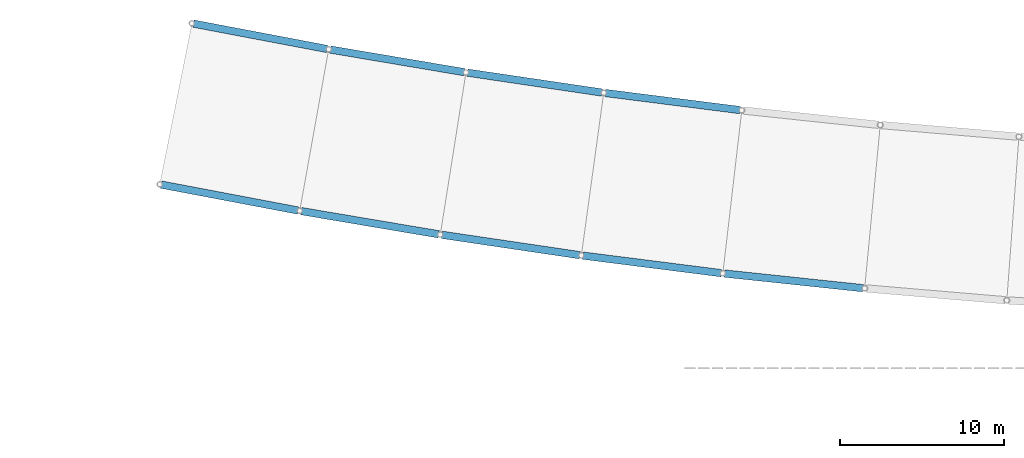
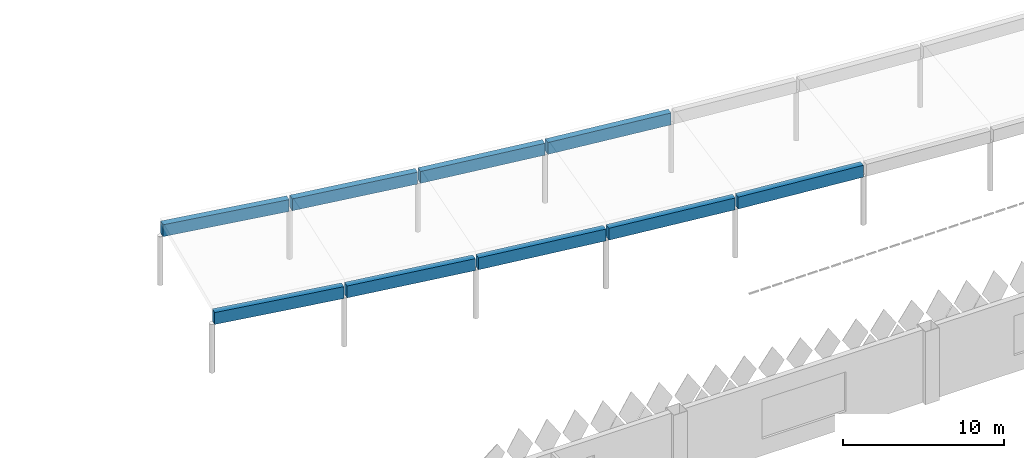
# One storey, part 41 of 185: 9 beams.
"""IFC4 building model written with IfcOpenShell, lengths in metres."""

from ifc_helpers import new_model, si_unit, direction, frame, origin, origin_2d, place, context, subcontext, project, spatial, rectangle, extrude, material, material_profile, profile_set, type_object, element, save


model = new_model("IFC4")

# Units and contexts
model_context = context("Model", 3, precision=1e-05, world=origin(), true_north=direction((0.0, 1.0)))
body_context = subcontext(model_context, "Body", "Model", "MODEL_VIEW")
ifc_project = project(units=[si_unit("LENGTHUNIT", "METRE"), si_unit("AREAUNIT", "SQUARE_METRE"), si_unit("VOLUMEUNIT", "CUBIC_METRE"), si_unit("PLANEANGLEUNIT", "RADIAN"), si_unit("MASSUNIT", "GRAM", prefix="KILO")], contexts=[model_context])

# Site, building, storey
site_placement = place(None, origin())
site = spatial("IfcSite", under=ifc_project, at=site_placement, CompositionType="ELEMENT")
building_placement = place(site_placement, origin())
building = spatial("IfcBuilding", under=site, at=building_placement, Name="Opaline Strait Convention Centre", CompositionType="ELEMENT")
storey_placement = place(building_placement, frame((0.0, 0.0, 6.0)))
storey = spatial("IfcBuildingStorey", under=building, at=storey_placement, Name="L01", CompositionType="ELEMENT", Elevation=6.0)

# Beams
ifc_material = material(Name="Concrete C40", Category="concrete")
ifc_material_profile = material_profile(ifc_material, rectangle(XDim=0.449951171875, YDim=0.89990234375, at=origin_2d()), Name="RC 450x900")
ifc_profile_set = profile_set([ifc_material_profile], Name="Concrete C40")
beam_type = type_object("IfcBeamType", Name="Arcade edge beam 450 x 900 C40", PredefinedType="BEAM", material=ifc_profile_set)
beam_1_placement = place(storey_placement, frame((98.11767578125, 177.678466796875, 4.14990234375), z_axis=(0.982500419925, -0.186260368428, 0.0), x_axis=(0.186260368428, 0.982500419925, 0.0)))
element("IfcBeam", 1, at=beam_1_placement, inside=storey, type_object=beam_type, Name="Arcade edge beam SB-I01", ObjectType="SB1", PredefinedType="BEAM", context=body_context, shape_type="SweptSolid", body=[
    extrude(rectangle(XDim=0.449951171875, YDim=0.89990234375, at=origin_2d()), origin(), (0.0, 0.0, 1.0), 8.483154296875),
])
beam_2_placement = place(storey_placement, frame((106.649169921875, 176.06298828125, 4.14990234375), z_axis=(0.986061396972, -0.166381854183, 0.0), x_axis=(0.166381854183, 0.986061396972, 0.0)))
element("IfcBeam", 2, at=beam_2_placement, inside=storey, type_object=beam_type, Name="Arcade edge beam SB-I02", ObjectType="SB1", PredefinedType="BEAM", context=body_context, shape_type="SweptSolid", body=[
    extrude(rectangle(XDim=0.449951171875, YDim=0.89990234375, at=origin_2d()), origin(), (0.0, 0.0, 1.0), 8.484130859375),
])
beam_3_placement = place(storey_placement, frame((115.212646484375, 174.6201171875, 4.14990234375), z_axis=(0.989251915692, -0.146221227257, 0.0), x_axis=(0.146221227257, 0.989251915692, 0.0)))
element("IfcBeam", 3, at=beam_3_placement, inside=storey, type_object=beam_type, Name="Arcade edge beam SB-I03", ObjectType="SB1", PredefinedType="BEAM", context=body_context, shape_type="SweptSolid", body=[
    extrude(rectangle(XDim=0.449951171875, YDim=0.89990234375, at=origin_2d()), origin(), (0.0, 0.0, 1.0), 8.4853515625),
])
beam_4_placement = place(storey_placement, frame((123.804931640625, 173.352294921875, 4.14990234375), z_axis=(0.992058135744, -0.125780186453, 0.0), x_axis=(0.125780186453, 0.992058135744, 0.0)))
element("IfcBeam", 4, at=beam_4_placement, inside=storey, type_object=beam_type, Name="Arcade edge beam SB-I04", ObjectType="SB1", PredefinedType="BEAM", context=body_context, shape_type="SweptSolid", body=[
    extrude(rectangle(XDim=0.449951171875, YDim=0.89990234375, at=origin_2d()), origin(), (0.0, 0.0, 1.0), 8.486083984375),
])
beam_5_placement = place(storey_placement, frame((132.422119140625, 172.26171875, 4.14990234375), z_axis=(0.994454264376, -0.105169938981, 0.0), x_axis=(0.105169938981, 0.994454264376, 0.0)))
element("IfcBeam", 5, at=beam_5_placement, inside=storey, type_object=beam_type, Name="Arcade edge beam SB-I05", ObjectType="SB1", PredefinedType="BEAM", context=body_context, shape_type="SweptSolid", body=[
    extrude(rectangle(XDim=0.449951171875, YDim=0.89990234375, at=origin_2d()), origin(), (0.0, 0.0, 1.0), 8.487060546875),
])
beam_6_placement = place(storey_placement, frame((100.078857421875, 187.484375, 4.14990234375), z_axis=(0.982494059774, -0.186293914307, 0.0), x_axis=(0.186293914307, 0.982494059774, 0.0)))
element("IfcBeam", 6, at=beam_6_placement, inside=storey, type_object=beam_type, Name="Arcade edge beam SB-O01", ObjectType="SB1", PredefinedType="BEAM", context=body_context, shape_type="SweptSolid", body=[
    extrude(rectangle(XDim=0.449951171875, YDim=0.89990234375, at=origin_2d()), origin(), (0.0, 0.0, 1.0), 8.282470703125),
])
beam_7_placement = place(storey_placement, frame((108.4130859375, 185.90625, 4.14990234375), z_axis=(0.986058831244, -0.166397059246, 0.0), x_axis=(0.166397059246, 0.986058831244, 0.0)))
element("IfcBeam", 7, at=beam_7_placement, inside=storey, type_object=beam_type, Name="Arcade edge beam SB-O02", ObjectType="SB1", PredefinedType="BEAM", context=body_context, shape_type="SweptSolid", body=[
    extrude(rectangle(XDim=0.449951171875, YDim=0.89990234375, at=origin_2d()), origin(), (0.0, 0.0, 1.0), 8.281005859375),
])
beam_8_placement = place(storey_placement, frame((116.776123046875, 184.497314453125, 4.14990234375), z_axis=(0.989252640613, -0.146216322756, 0.0), x_axis=(0.146216322756, 0.989252640613, 0.0)))
element("IfcBeam", 8, at=beam_8_placement, inside=storey, type_object=beam_type, Name="Arcade edge beam SB-O03", ObjectType="SB1", PredefinedType="BEAM", context=body_context, shape_type="SweptSolid", body=[
    extrude(rectangle(XDim=0.449951171875, YDim=0.89990234375, at=origin_2d()), origin(), (0.0, 0.0, 1.0), 8.2802734375),
])
beam_9_placement = place(storey_placement, frame((125.165283203125, 183.25927734375, 4.14990234375), z_axis=(0.992056291557, -0.125794731141, 0.0), x_axis=(0.125794731141, 0.992056291557, 0.0)))
element("IfcBeam", 9, at=beam_9_placement, inside=storey, type_object=beam_type, Name="Arcade edge beam SB-O04", ObjectType="SB1", PredefinedType="BEAM", context=body_context, shape_type="SweptSolid", body=[
    extrude(rectangle(XDim=0.449951171875, YDim=0.89990234375, at=origin_2d()), origin(), (0.0, 0.0, 1.0), 8.279296875),
])

save(model, "model.ifc")
